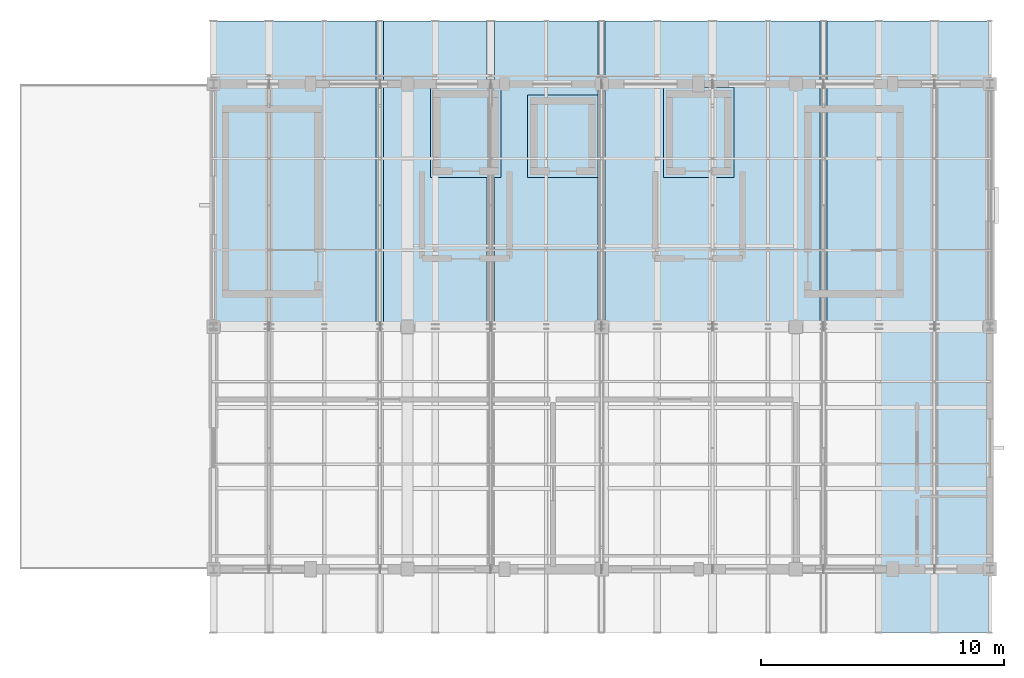
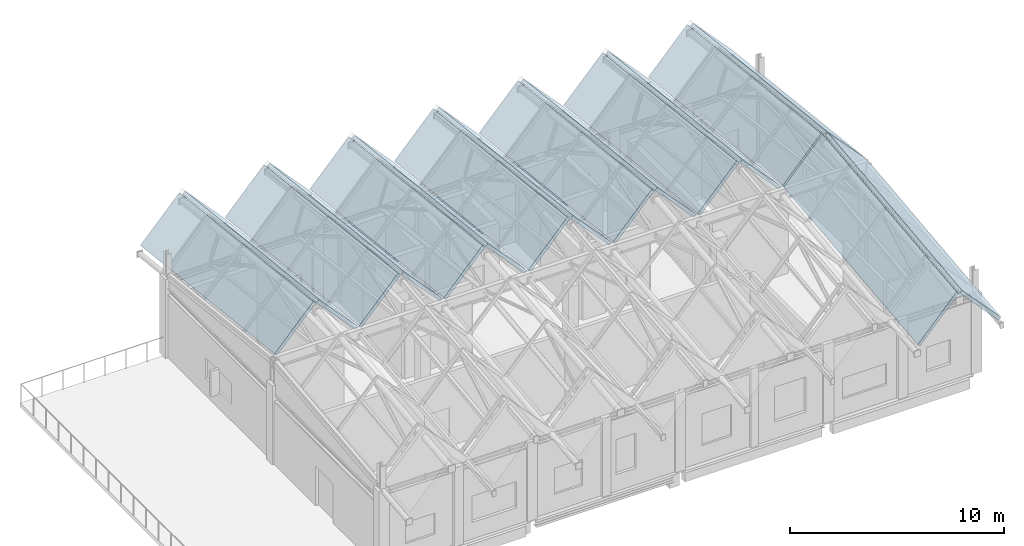
# One storey, part 6 of 15: 19 slabs.
"""IFC4 building model written with IfcOpenShell, lengths in metres."""

import ifcopenshell
import ifcopenshell.guid

model = None  # the IFC model being written
_history = None  # IfcOwnerHistory: only IFC2X3 demands one
_inside = {}  # id of a spatial element -> (the spatial element, [elements in it])
_under = {}  # id of a project, library or spatial element -> (it, [spatial elements below it])
_declared = {}  # id of a project -> (the project, [libraries it declares])
_typed = {}  # id of a type object -> (the type object, [elements of that type])
_made_of = {}  # id of a material, layer set ... -> (it, [elements and type objects made of it])


def new_model(schema):
    """Start an empty IFC model of exactly this schema.

    Asked for "IFC4X3", IfcOpenShell would pick the latest addendum, in which some entities
    have other attributes; the version numbers below select the first issue.
    IFC2X3 requires an IfcOwnerHistory on every rooted entity: one is made here for all.
    """
    global model, _history
    if schema == "IFC4X3":
        model = ifcopenshell.file(schema_version=(4, 3, 0, 0))
    else:
        model = ifcopenshell.file(schema=schema)
    _inside.clear()
    _under.clear()
    _declared.clear()
    _typed.clear()
    _made_of.clear()
    _history = None
    if model.schema == "IFC2X3":
        org = make("IfcOrganization", Name="unknown")
        user = make(
            "IfcPersonAndOrganization",
            ThePerson=make("IfcPerson", FamilyName="unknown"),
            TheOrganization=org,
        )
        app = make(
            "IfcApplication",
            ApplicationDeveloper=org,
            Version="unknown",
            ApplicationFullName="unknown",
            ApplicationIdentifier="unknown",
        )
        _history = make(
            "IfcOwnerHistory",
            OwningUser=user,
            OwningApplication=app,
            ChangeAction="ADDED",
            CreationDate=0,
        )
    return model


def make(cls, **values):
    """One entity of the class cls with the attributes given. An attribute that is None is left unset."""
    return model.create_entity(
        cls, **{name: value for name, value in values.items() if value is not None}
    )


def rooted(cls, **values):
    """An entity with a GlobalId (a new one), such as an element, a storey or a relation."""
    return make(cls, GlobalId=ifcopenshell.guid.new(), OwnerHistory=_history, **values)


def si_unit(unit_type, name, prefix=None):
    """IfcSIUnit, for example si_unit("LENGTHUNIT", "METRE", prefix="MILLI")."""
    return make("IfcSIUnit", UnitType=unit_type, Prefix=prefix, Name=name)


def assignment(units):
    """IfcUnitAssignment: the units of a project."""
    return None if units is None else make("IfcUnitAssignment", Units=units)


def point(xyz):
    """IfcCartesianPoint."""
    return None if xyz is None else make("IfcCartesianPoint", Coordinates=xyz)


def direction(xyz):
    """IfcDirection."""
    return None if xyz is None else make("IfcDirection", DirectionRatios=xyz)


def frame(location, z_axis=None, x_axis=None):
    """IfcAxis2Placement3D, a coordinate frame: its origin and axes. An axis left out is left unset."""
    return make(
        "IfcAxis2Placement3D",
        Location=point(location),
        Axis=direction(z_axis),
        RefDirection=direction(x_axis),
    )


def origin():
    """The frame at (0, 0, 0) with its axes left unset."""
    return frame((0.0, 0.0, 0.0))


def place(relative_to, where):
    """IfcLocalPlacement: puts the frame where relative to a parent placement (None: the world)."""
    return make(
        "IfcLocalPlacement", PlacementRelTo=relative_to, RelativePlacement=where
    )


def context(
    kind, dimensions, precision=None, world=None, true_north=None, identifier=None
):
    """IfcGeometricRepresentationContext, for example the 3D "Model" context."""
    return make(
        "IfcGeometricRepresentationContext",
        ContextIdentifier=identifier,
        ContextType=kind,
        CoordinateSpaceDimension=dimensions,
        Precision=precision,
        WorldCoordinateSystem=world,
        TrueNorth=true_north,
    )


def subcontext(parent, identifier, kind, view, scale=None):
    """IfcGeometricRepresentationSubContext, for example "Body" below "Model"."""
    return make(
        "IfcGeometricRepresentationSubContext",
        ContextIdentifier=identifier,
        ContextType=kind,
        ParentContext=parent,
        TargetScale=scale,
        TargetView=view,
    )


def project(units=None, contexts=None):
    """IfcProject with its units and contexts."""
    return rooted(
        "IfcProject",
        Name="project",
        RepresentationContexts=contexts,
        UnitsInContext=assignment(units),
    )


def spatial(cls, under=None, at=None, **own):
    """A site, building, storey or space (cls), placed at a placement, below another one or the project."""
    s = rooted(cls, ObjectPlacement=at, **own)
    if under is not None:
        _under.setdefault(under.id(), (under, []))[1].append(s)
    return s


def polyline(points):
    """IfcPolyline through the points."""
    return make("IfcPolyline", Points=[point(p) for p in points])


def outline(outer, holes=None, kind="AREA"):
    """IfcArbitraryClosedProfileDef: a profile drawn as a closed curve; with holes, ...WithVoids."""
    if holes is None:
        return make("IfcArbitraryClosedProfileDef", ProfileType=kind, OuterCurve=outer)
    return make(
        "IfcArbitraryProfileDefWithVoids",
        ProfileType=kind,
        OuterCurve=outer,
        InnerCurves=holes,
    )


def extrude(swept, where, along, depth):
    """IfcExtrudedAreaSolid: the profile swept, set in the frame where, extruded along a direction by depth."""
    return make(
        "IfcExtrudedAreaSolid",
        SweptArea=swept,
        Position=where,
        ExtrudedDirection=direction(along),
        Depth=depth,
    )


def shape(context_of_items, identifier, shape_type, items):
    """IfcShapeRepresentation: the items that make up one representation, for example the "Body"."""
    return make(
        "IfcShapeRepresentation",
        ContextOfItems=context_of_items,
        RepresentationIdentifier=identifier,
        RepresentationType=shape_type,
        Items=items,
    )


def material(Name=None, Category=None):
    """IfcMaterial."""
    return make("IfcMaterial", Name=Name, Category=Category)


def layer(
    of_material, thickness, ventilated=None, Name=None, Category=None, Priority=None
):
    """IfcMaterialLayer: one layer of a wall or slab, of a material (None: an air gap)."""
    return make(
        "IfcMaterialLayer",
        Material=of_material,
        LayerThickness=thickness,
        IsVentilated=ventilated,
        Name=Name,
        Category=Category,
        Priority=Priority,
    )


def layer_set(layers, Name=None):
    """IfcMaterialLayerSet."""
    return make("IfcMaterialLayerSet", MaterialLayers=layers, LayerSetName=Name)


def made_of(thing, what):
    """Note that an element or type object is made of a material, layer set ...; save() writes the relation."""
    if what is not None:
        _made_of.setdefault(what.id(), (what, []))[1].append(thing)
    return thing


def type_object(cls, material=None, **own):
    """A type object (cls), such as IfcWallType, which elements share."""
    return made_of(rooted(cls, **own), material)


def element(
    cls,
    number,
    at=None,
    inside=None,
    cuts=None,
    type_object=None,
    material=None,
    context=None,
    identifier="Body",
    shape_type=None,
    held_by="IfcProductDefinitionShape",
    body=None,
    shapes=None,
    **own,
):
    """One element of the class cls, such as IfcWall. Its Tag is "e" and its number.

    at: its placement. inside: the storey or other place that contains it. cuts: it is an
    opening in that element (IfcRelVoidsElement). A single representation is given by context,
    identifier, shape_type and body (its items); several are given by shapes. held_by: the class
    of the entity that holds the representations. save() writes the other relations.
    """
    e = rooted(cls, Tag="e%d" % number, ObjectPlacement=at, **own)
    if body is not None:
        shapes = [shape(context, identifier, shape_type, body)]
    if shapes is not None:
        e.Representation = make(held_by, Representations=shapes)
    if inside is not None:
        _inside.setdefault(inside.id(), (inside, []))[1].append(e)
    if cuts is not None:
        rooted(
            "IfcRelVoidsElement", RelatingBuildingElement=cuts, RelatedOpeningElement=e
        )
    if type_object is not None:
        _typed.setdefault(type_object.id(), (type_object, []))[1].append(e)
    return made_of(e, material)


def aggregate(whole, parts):
    """IfcRelAggregates: a whole, such as a stair, and the parts it consists of."""
    return rooted("IfcRelAggregates", RelatingObject=whole, RelatedObjects=parts)


def save(model, path):
    """Write the relations noted so far, then the file.

    IfcRelAggregates (storeys below a building ...), IfcRelContainedInSpatialStructure (elements
    in a storey), IfcRelDefinesByType, IfcRelAssociatesMaterial and IfcRelDeclares: one each for
    every whole, place, type object, material and project.
    """
    for whole, parts in _under.values():
        aggregate(whole, parts)
    for where, things in _inside.values():
        rooted(
            "IfcRelContainedInSpatialStructure",
            RelatedElements=things,
            RelatingStructure=where,
        )
    for kind, things in _typed.values():
        rooted("IfcRelDefinesByType", RelatedObjects=things, RelatingType=kind)
    for what, things in _made_of.values():
        rooted("IfcRelAssociatesMaterial", RelatedObjects=things, RelatingMaterial=what)
    for by, libraries in _declared.values():
        rooted("IfcRelDeclares", RelatingContext=by, RelatedDefinitions=libraries)
    model.write(path)


model = new_model("IFC4")

# Units and contexts
model_context = context("Model", 3, precision=1e-05, world=origin(), true_north=direction((0.0, 1.0)))
body_context = subcontext(model_context, "Body", "Model", "MODEL_VIEW")
ifc_project = project(units=[si_unit("LENGTHUNIT", "METRE"), si_unit("AREAUNIT", "SQUARE_METRE"), si_unit("VOLUMEUNIT", "CUBIC_METRE"), si_unit("PLANEANGLEUNIT", "RADIAN"), si_unit("MASSUNIT", "GRAM", prefix="KILO")], contexts=[model_context])

# Site, building, storey
site_placement = place(None, origin())
site = spatial("IfcSite", under=ifc_project, at=site_placement, CompositionType="ELEMENT")
building_placement = place(site_placement, origin())
building = spatial("IfcBuilding", under=site, at=building_placement, Name="Luwemba Playhouse", CompositionType="ELEMENT")
storey_placement = place(building_placement, frame((0.0, 0.0, 22.800048828125)))
storey = spatial("IfcBuildingStorey", under=building, at=storey_placement, Name="L05", CompositionType="ELEMENT", Elevation=22.800048828125)

# Slabs
ifc_material_1 = material(Name="Concrete C32/40", Category="concrete")
ifc_layer_1 = layer(ifc_material_1, 0.179931640625)
ifc_layer_set_1 = layer_set([ifc_layer_1], Name="Concrete C32/40")
slab_type_1 = type_object("IfcSlabType", Name="SLB-ROOF-180", PredefinedType="ROOF", material=ifc_layer_set_1)
slab_1_placement = place(storey_placement, frame((140.0400390625, 105.06005859375, 6.018310546875), z_axis=(-0.732986367452, 0.07582735281, 0.676003844439), x_axis=(0.677955817789, 2.021683e-06, 0.735102652098)))
element("IfcSlab", 1, at=slab_1_placement, inside=storey, type_object=slab_type_1, Name="RF-V6E pleated roof facet 1N", PredefinedType="ROOF", context=body_context, shape_type="SweptSolid", body=[
    extrude(outline(polyline([(0.0, 0.0), (3.0950810226563856, 0.0), (2.0611888017086324, 12.576242377009617), (-1.034071689368676, 12.576254928053771), (0.0, 0.0)])), origin(), (0.0, 0.0, -1.0), 0.179931640625),
])
slab_2_placement = place(storey_placement, frame((142.43310546875, 105.06005859375, 8.29345703125), z_axis=(0.732968535322, 0.075822995692, 0.676023667893), x_axis=(0.677975360182, 0.0, -0.735084628451)))
element("IfcSlab", 2, at=slab_2_placement, inside=storey, type_object=slab_type_1, Name="RF-V6E pleated roof facet 2N", PredefinedType="ROOF", context=body_context, shape_type="SweptSolid", body=[
    extrude(outline(polyline([(0.0, 0.0), (3.095081023756446, 0.0), (4.128973246536852, 12.576242377129686), (1.0338922227804057, 12.576242377129686), (0.0, 0.0)])), origin(), (0.0, 0.0, -1.0), 0.179931640625),
])
slab_3_placement = place(storey_placement, frame((144.611328125, 105.06005859375, 6.018310546875), z_axis=(-0.732986367452, 0.07582735281, 0.676003844439), x_axis=(0.677955817789, 2.021683e-06, 0.735102652098)))
element("IfcSlab", 3, at=slab_3_placement, inside=storey, type_object=slab_type_1, Name="RF-V6E pleated roof facet 3N", PredefinedType="ROOF", context=body_context, shape_type="SweptSolid", body=[
    extrude(outline(polyline([(0.0, 0.0), (3.0950810226563856, 0.0), (2.0611888017086324, 12.576242377009617), (-1.034071689368676, 12.576254928053771), (0.0, 0.0)])), origin(), (0.0, 0.0, -1.0), 0.179931640625),
])
slab_4_placement = place(storey_placement, frame((147.00439453125, 105.06005859375, 8.29345703125), z_axis=(0.732986367452, 0.07582735281, 0.676003844439), x_axis=(0.677955817789, -2.021683e-06, -0.735102652098)))
element("IfcSlab", 4, at=slab_4_placement, inside=storey, type_object=slab_type_1, Name="RF-V6E pleated roof facet 4N", PredefinedType="ROOF", context=body_context, shape_type="SweptSolid", body=[
    extrude(outline(polyline([(0.0, 0.0), (3.0950810226563856, 0.0), (4.129152712025062, 12.576254928053771), (1.0338922209477537, 12.576242377009617), (0.0, 0.0)])), origin(), (0.0, 0.0, -1.0), 0.179931640625),
])
slab_5_placement = place(storey_placement, frame((149.182861328125, 105.06005859375, 6.018310546875), z_axis=(-0.732968535322, 0.075822995692, 0.676023667893), x_axis=(0.677975360182, 0.0, 0.735084628451)))
element("IfcSlab", 5, at=slab_5_placement, inside=storey, type_object=slab_type_1, Name="RF-V6E pleated roof facet 5N", PredefinedType="ROOF", context=body_context, shape_type="SweptSolid", body=[
    extrude(outline(polyline([(0.0, 0.0), (3.095081023756446, 0.0), (2.0611888009760397, 12.576242377129686), (-1.0338922227804057, 12.576242377129686), (0.0, 0.0)])), origin(), (0.0, 0.0, -1.0), 0.179931640625),
])
slab_6_placement = place(storey_placement, frame((151.575927734375, 105.06005859375, 8.29345703125), z_axis=(0.732986367452, 0.07582735281, 0.676003844439), x_axis=(0.677955817789, -2.021683e-06, -0.735102652098)))
element("IfcSlab", 6, at=slab_6_placement, inside=storey, type_object=slab_type_1, Name="RF-V6E pleated roof facet 6N", PredefinedType="ROOF", context=body_context, shape_type="SweptSolid", body=[
    extrude(outline(polyline([(0.0, 0.0), (3.0950810226563856, 0.0), (4.129152712025062, 12.576254928053771), (1.0338922209477537, 12.576242377009617), (0.0, 0.0)])), origin(), (0.0, 0.0, -1.0), 0.179931640625),
])
slab_7_placement = place(storey_placement, frame((153.75439453125, 105.06005859375, 6.018310546875), z_axis=(-0.732986367452, 0.07582735281, 0.676003844439), x_axis=(0.677955817789, 2.021683e-06, 0.735102652098)))
element("IfcSlab", 7, at=slab_7_placement, inside=storey, type_object=slab_type_1, Name="RF-V6E pleated roof facet 7N", PredefinedType="ROOF", context=body_context, shape_type="SweptSolid", body=[
    extrude(outline(polyline([(0.0, 0.0), (3.0950810226563856, 0.0), (2.0611888017086324, 12.576242377009617), (-1.034071689368676, 12.576254928053771), (0.0, 0.0)])), origin(), (0.0, 0.0, -1.0), 0.179931640625),
])
slab_8_placement = place(storey_placement, frame((156.147216796875, 105.06005859375, 8.29345703125), z_axis=(0.732986367452, 0.07582735281, 0.676003844439), x_axis=(0.677955817789, -2.021683e-06, -0.735102652098)))
element("IfcSlab", 8, at=slab_8_placement, inside=storey, type_object=slab_type_1, Name="RF-V6E pleated roof facet 8N", PredefinedType="ROOF", context=body_context, shape_type="SweptSolid", body=[
    extrude(outline(polyline([(0.0, 0.0), (3.0950810226563856, 0.0), (4.129152712025062, 12.576254928053771), (1.0338922209477537, 12.576242377009617), (0.0, 0.0)])), origin(), (0.0, 0.0, -1.0), 0.179931640625),
])
slab_9_placement = place(storey_placement, frame((158.32568359375, 105.06005859375, 6.018310546875), z_axis=(-0.732986367452, 0.07582735281, 0.676003844439), x_axis=(0.677955817789, 2.021683e-06, 0.735102652098)))
element("IfcSlab", 9, at=slab_9_placement, inside=storey, type_object=slab_type_1, Name="RF-V6E pleated roof facet 9N", PredefinedType="ROOF", context=body_context, shape_type="SweptSolid", body=[
    extrude(outline(polyline([(0.0, 0.0), (3.0950810226563856, 0.0), (2.0611888017086324, 12.576242377009617), (-1.034071689368676, 12.576254928053771), (0.0, 0.0)])), origin(), (0.0, 0.0, -1.0), 0.179931640625),
])
slab_10_placement = place(storey_placement, frame((160.71875, 105.06005859375, 8.29345703125), z_axis=(0.732968535322, 0.075822995692, 0.676023667893), x_axis=(0.677975360182, 0.0, -0.735084628451)))
element("IfcSlab", 10, at=slab_10_placement, inside=storey, type_object=slab_type_1, Name="RF-V6E pleated roof facet 10N", PredefinedType="ROOF", context=body_context, shape_type="SweptSolid", body=[
    extrude(outline(polyline([(0.0, 0.0), (3.095081023756446, 0.0), (4.128973246536852, 12.576242377129686), (1.0338922227804057, 12.576242377129686), (0.0, 0.0)])), origin(), (0.0, 0.0, -1.0), 0.179931640625),
])
slab_11_placement = place(storey_placement, frame((162.897216796875, 105.06005859375, 6.018310546875), z_axis=(-0.732986367452, 0.07582735281, 0.676003844439), x_axis=(0.677955817789, 2.021683e-06, 0.735102652098)))
element("IfcSlab", 11, at=slab_11_placement, inside=storey, type_object=slab_type_1, Name="RF-V6E pleated roof facet 11N", PredefinedType="ROOF", context=body_context, shape_type="SweptSolid", body=[
    extrude(outline(polyline([(0.0, 0.0), (3.0950810226563856, 0.0), (2.0611888017086324, 12.576242377009617), (-1.034071689368676, 12.576254928053771), (0.0, 0.0)])), origin(), (0.0, 0.0, -1.0), 0.179931640625),
])
slab_12_placement = place(storey_placement, frame((165.290283203125, 105.06005859375, 8.29345703125), z_axis=(0.732986367452, 0.07582735281, 0.676003844439), x_axis=(0.677955817789, -2.021683e-06, -0.735102652098)))
element("IfcSlab", 12, at=slab_12_placement, inside=storey, type_object=slab_type_1, Name="RF-V6E pleated roof facet 12N", PredefinedType="ROOF", context=body_context, shape_type="SweptSolid", body=[
    extrude(outline(polyline([(0.0, 0.0), (3.0950810226563856, 0.0), (4.129152712025062, 12.576254928053771), (1.0338922209477537, 12.576242377009617), (0.0, 0.0)])), origin(), (0.0, 0.0, -1.0), 0.179931640625),
])
slab_13_placement = place(storey_placement, frame((167.468505859375, 92.39990234375, 4.61181640625), z_axis=(-0.732968535322, -0.075822995692, 0.676023667893), x_axis=(0.677975360182, 0.0, 0.735084628451)))
element("IfcSlab", 13, at=slab_13_placement, inside=storey, type_object=slab_type_1, Name="RF-V6E pleated roof facet 13S", PredefinedType="ROOF", context=body_context, shape_type="SweptSolid", body=[
    extrude(outline(polyline([(0.0, 0.0), (3.095081023756446, 0.0), (4.128973246536852, 12.576242377129686), (1.0338922227804057, 12.576242377129686), (0.0, 0.0)])), origin(), (0.0, 0.0, -1.0), 0.179931640625),
])
slab_14_placement = place(storey_placement, frame((167.468505859375, 105.06005859375, 6.018310546875), z_axis=(-0.732968535322, 0.075822995692, 0.676023667893), x_axis=(0.677975360182, 0.0, 0.735084628451)))
element("IfcSlab", 14, at=slab_14_placement, inside=storey, type_object=slab_type_1, Name="RF-V6E pleated roof facet 13N", PredefinedType="ROOF", context=body_context, shape_type="SweptSolid", body=[
    extrude(outline(polyline([(0.0, 0.0), (3.095081023756446, 0.0), (2.0611888009760397, 12.576242377129686), (-1.0338922227804057, 12.576242377129686), (0.0, 0.0)])), origin(), (0.0, 0.0, -1.0), 0.179931640625),
])
slab_15_placement = place(storey_placement, frame((169.861572265625, 92.39990234375, 6.886962890625), z_axis=(0.732986367452, -0.07582735281, 0.676003844439), x_axis=(0.677955591764, -2.021566e-06, -0.735102860552)))
element("IfcSlab", 15, at=slab_15_placement, inside=storey, type_object=slab_type_1, Name="RF-V6E pleated roof facet 14S", PredefinedType="ROOF", context=body_context, shape_type="SweptSolid", body=[
    extrude(outline(polyline([(0.0, 0.0), (3.0952604911027546, -1.3877787807814457e-17), (2.061137805992356, 12.576250734868902), (-1.0339432166385847, 12.57623818455248), (0.0, 0.0)])), origin(), (0.0, 0.0, -1.0), 0.179931640625),
])
slab_16_placement = place(storey_placement, frame((169.861572265625, 105.06005859375, 8.29345703125), z_axis=(0.732986367452, 0.07582735281, 0.676003844439), x_axis=(0.677955817789, -2.021683e-06, -0.735102652098)))
element("IfcSlab", 16, at=slab_16_placement, inside=storey, type_object=slab_type_1, Name="RF-V6E pleated roof facet 14N", PredefinedType="ROOF", context=body_context, shape_type="SweptSolid", body=[
    extrude(outline(polyline([(0.0, 0.0), (3.0950810226563856, 0.0), (4.129152712025062, 12.576254928053771), (1.0338922209477537, 12.576242377009617), (0.0, 0.0)])), origin(), (0.0, 0.0, -1.0), 0.179931640625),
])
ifc_material_2 = material(Name="Concrete C40/50", Category="concrete")
ifc_layer_2 = layer(ifc_material_2, 0.22998046875)
ifc_layer_set_2 = layer_set([ifc_layer_2], Name="Concrete C40/50")
slab_type_2 = type_object("IfcSlabType", Name="SLB-UPP-230", PredefinedType="FLOOR", material=ifc_layer_set_2)
slab_17_placement = place(storey_placement, frame((0.0, 0.0, 4.02001953125)))
element("IfcSlab", 17, at=slab_17_placement, inside=storey, type_object=slab_type_2, Name="Lift LF-FF1 overrun cap slab", PredefinedType="FLOOR", context=body_context, shape_type="SweptSolid", body=[
    extrude(outline(polyline([(148.949951171875, 111.14990234375), (151.85009765625, 111.14990234375), (151.85009765625, 114.85009765625), (148.949951171875, 114.85009765625), (148.949951171875, 111.14990234375)])), origin(), (0.0, 0.0, 1.0), 0.22998046875),
])
slab_18_placement = place(storey_placement, frame((0.0, 0.0, 4.02001953125)))
element("IfcSlab", 18, at=slab_18_placement, inside=storey, type_object=slab_type_2, Name="Lift LF-FF2 overrun cap slab", PredefinedType="FLOOR", context=body_context, shape_type="SweptSolid", body=[
    extrude(outline(polyline([(158.550048828125, 111.14990234375), (161.449951171875, 111.14990234375), (161.449951171875, 114.85009765625), (158.550048828125, 114.85009765625), (158.550048828125, 111.14990234375)])), origin(), (0.0, 0.0, 1.0), 0.22998046875),
])
slab_19_placement = place(storey_placement, frame((0.0, 0.0, 4.02001953125)))
element("IfcSlab", 19, at=slab_19_placement, inside=storey, type_object=slab_type_2, Name="Lift LF-P6 overrun cap slab", PredefinedType="FLOOR", context=body_context, shape_type="SweptSolid", body=[
    extrude(outline(polyline([(152.949951171875, 111.14990234375), (155.85009765625, 111.14990234375), (155.85009765625, 114.550048828125), (152.949951171875, 114.550048828125), (152.949951171875, 111.14990234375)])), origin(), (0.0, 0.0, 1.0), 0.22998046875),
])

save(model, "model.ifc")
